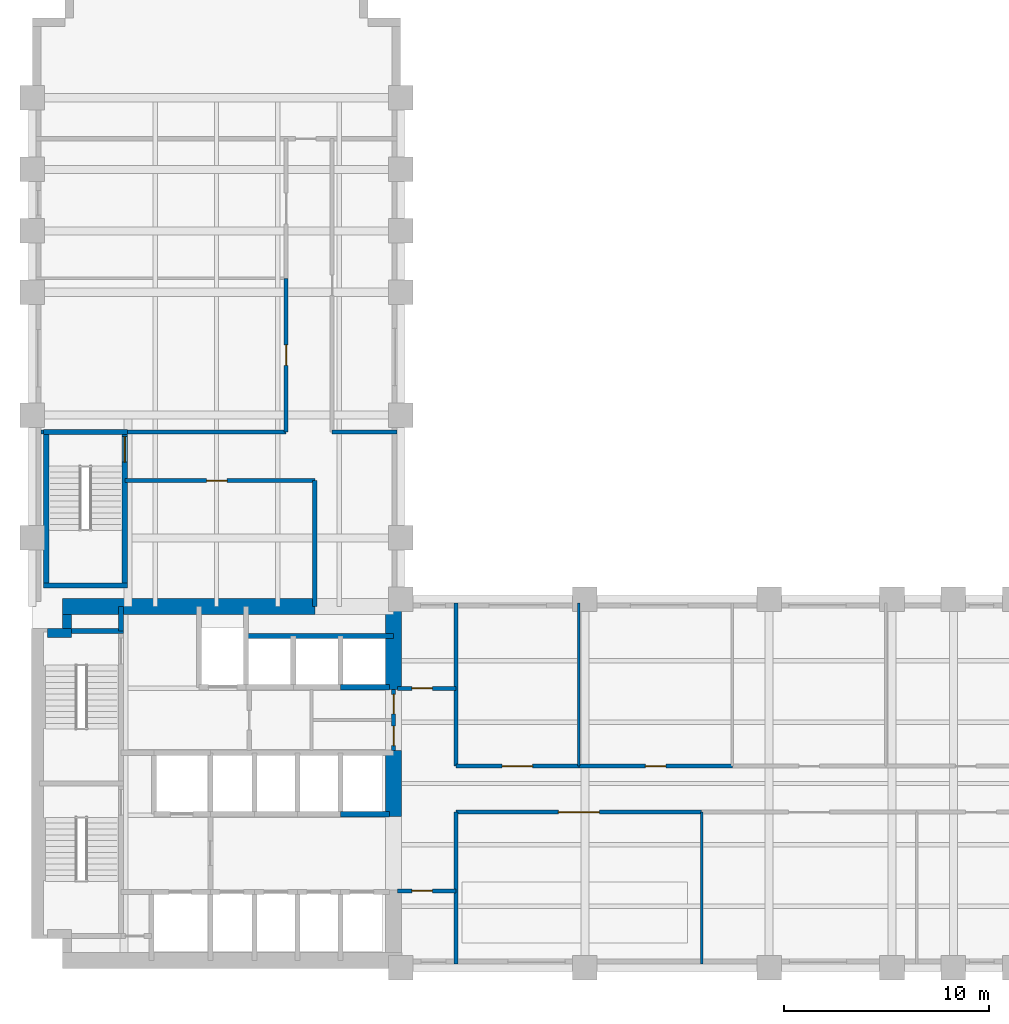
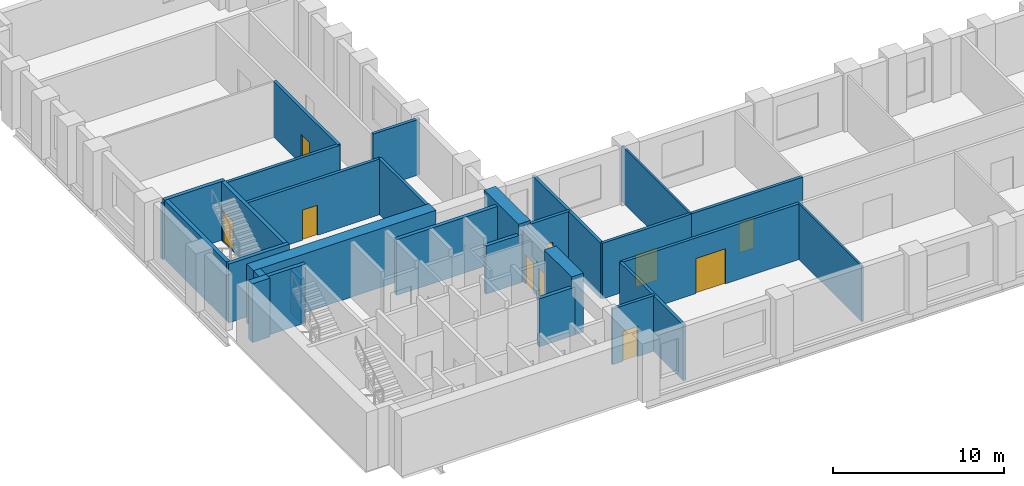
# One storey, part 4 of 7: 30 walls, 10 doors, 10 openings.
"""IFC4 building model written with IfcOpenShell, lengths in metres."""

from ifc_helpers import new_model, si_unit, direction, frame, frame_2d, origin, place, context, subcontext, project, spatial, rectangle, extrude, material, layer, layer_set, type_object, element, fill, save


model = new_model("IFC4")

# Units and contexts
model_context = context("Model", 3, precision=1e-05, world=origin(), true_north=direction((0.0, 1.0)))
body_context = subcontext(model_context, "Body", "Model", "MODEL_VIEW")
ifc_project = project(units=[si_unit("LENGTHUNIT", "METRE"), si_unit("AREAUNIT", "SQUARE_METRE"), si_unit("VOLUMEUNIT", "CUBIC_METRE"), si_unit("PLANEANGLEUNIT", "RADIAN"), si_unit("MASSUNIT", "GRAM", prefix="KILO")], contexts=[model_context])

# Site, building, storey
site_placement = place(None, origin())
site = spatial("IfcSite", under=ifc_project, at=site_placement, CompositionType="ELEMENT")
building_placement = place(site_placement, origin())
building = spatial("IfcBuilding", under=site, at=building_placement, Name="Mawjdan Bourse Tower", CompositionType="ELEMENT")
storey_placement = place(building_placement, frame((0.0, 0.0, 59.39990234375)))
storey = spatial("IfcBuildingStorey", under=building, at=storey_placement, Name="L13", CompositionType="ELEMENT", Elevation=59.39990234375)

# Wall, openings, doors
ifc_material_1 = material(Name="Gypsum Fireboard Assembly")
ifc_layer_1 = layer(ifc_material_1, 0.199951171875)
ifc_layer_set_1 = layer_set([ifc_layer_1], Name="Gypsum Fireboard Assembly")
wall_type_1 = type_object("IfcWallType", Name="WL-CMP-200", PredefinedType="PARTITIONING", material=ifc_layer_set_1)
wall_1_placement = place(storey_placement, frame((23.64990234375, 13.60009765625, 0.0), z_axis=(0.0, 0.0, 1.0), x_axis=(0.0, 1.0, 0.0)))
wall_1 = element("IfcWall", 1, at=wall_1_placement, inside=storey, type_object=wall_type_1, Name="L13 Core Restroom East Enclosing Wall", PredefinedType="PARTITIONING", context=body_context, shape_type="SweptSolid", body=[
    extrude(rectangle(XDim=3.0, YDim=0.199951171875, at=frame_2d((1.5, 0.0))), origin(), (0.0, 0.0, 1.0), 3.97021484375),
])
opening_1_placement = place(wall_1_placement, frame((0.25, 0.0, 0.0)))
opening_1 = element("IfcOpeningElement", 2, at=opening_1_placement, cuts=wall_1, Name="Opening D-L13-15", PredefinedType="OPENING", context=body_context, shape_type="SweptSolid", body=[
    extrude(rectangle(XDim=0.949951171875, YDim=2.10009765625, at=frame_2d((0.47509765625, 1.050048828125))), frame((0.0, 0.10986328125, 0.0), z_axis=(0.0, -1.0, 0.0), x_axis=(1.0, 0.0, 0.0)), (0.0, 0.0, 1.0), 0.219970703125),
])
opening_2_placement = place(wall_1_placement, frame((1.800048828125, 0.0, 0.0)))
opening_2 = element("IfcOpeningElement", 3, at=opening_2_placement, cuts=wall_1, Name="Opening D-L13-16", PredefinedType="OPENING", context=body_context, shape_type="SweptSolid", body=[
    extrude(rectangle(XDim=0.949951171875, YDim=2.10009765625, at=frame_2d((0.47509765625, 1.050048828125))), frame((0.0, 0.10986328125, 0.0), z_axis=(0.0, -1.0, 0.0), x_axis=(1.0, 0.0, 0.0)), (0.0, 0.0, 1.0), 0.219970703125),
])
ifc_material_2 = material(Name="Moisture-Resistant Laminate Timber", Category="wood")
door_type_1 = type_object("IfcDoorType", Name="DR-WET-0950", OperationType="NOTDEFINED", PredefinedType="DOOR", material=ifc_material_2)
door_1_placement = place(opening_1_placement, origin())
door_1 = element("IfcDoor", 4, at=door_1_placement, inside=storey, type_object=door_type_1, Name="L13 Accessible WC East Entry Door D-L13-15", OperationType="SINGLE_SWING_LEFT", OverallHeight=2.10009765625, OverallWidth=0.949951171875, PredefinedType="DOOR", context=body_context, shape_type="SweptSolid", body=[
    extrude(rectangle(XDim=0.949951171875, YDim=2.10009765625, at=frame_2d((0.47509765625, 1.050048828125))), frame((0.0, 0.02490234375, 0.0), z_axis=(0.0, -1.0, 0.0), x_axis=(1.0, 0.0, 0.0)), (0.0, 0.0, 1.0), 0.050048828125),
])
fill(opening_1, door_1)
door_2_placement = place(opening_2_placement, origin())
door_2 = element("IfcDoor", 5, at=door_2_placement, inside=storey, type_object=door_type_1, Name="L13 Female Restroom East Entry Door D-L13-16", OperationType="SINGLE_SWING_RIGHT", OverallHeight=2.10009765625, OverallWidth=0.949951171875, PredefinedType="DOOR", context=body_context, shape_type="SweptSolid", body=[
    extrude(rectangle(XDim=0.949951171875, YDim=2.10009765625, at=frame_2d((0.47509765625, 1.050048828125))), frame((0.0, 0.02490234375, 0.0), z_axis=(0.0, -1.0, 0.0), x_axis=(1.0, 0.0, 0.0)), (0.0, 0.0, 1.0), 0.050048828125),
])
fill(opening_2, door_2)

# Wall, opening, door
wall_2_placement = place(storey_placement, frame((23.85009765625, 6.75, 0.0), z_axis=(0.0, 0.0, 1.0), x_axis=(1.0, 0.0, 0.0)))
wall_2 = element("IfcWall", 6, at=wall_2_placement, inside=storey, type_object=wall_type_1, Name="L13 West Pocket North Wall", PredefinedType="PARTITIONING", context=body_context, shape_type="SweptSolid", body=[
    extrude(rectangle(XDim=2.849853515625, YDim=0.199951171875, at=frame_2d((1.4248046875, 0.0))), origin(), (0.0, 0.0, 1.0), 3.97021484375),
])
opening_3_placement = place(wall_2_placement, frame((0.699951171875, 0.0, 0.0)))
opening_3 = element("IfcOpeningElement", 7, at=opening_3_placement, cuts=wall_2, Name="Opening D-L13-18", PredefinedType="OPENING", context=body_context, shape_type="SweptSolid", body=[
    extrude(rectangle(XDim=1.0, YDim=2.14990234375, at=frame_2d((0.5, 1.074951171875))), frame((0.0, 0.10986328125, 0.0), z_axis=(0.0, -1.0, 0.0), x_axis=(1.0, 0.0, 0.0)), (0.0, 0.0, 1.0), 0.219970703125),
])
ifc_material_3 = material(Name="Hardwood Acoustic Leaf", Category="wood")
door_type_2 = type_object("IfcDoorType", Name="DR-OFC-1000", OperationType="NOTDEFINED", PredefinedType="DOOR", material=ifc_material_3)
door_3_placement = place(opening_3_placement, origin())
door_3 = element("IfcDoor", 8, at=door_3_placement, inside=storey, type_object=door_type_2, Name="L13 West Pocket Office Door D-L13-18", OperationType="SINGLE_SWING_RIGHT", OverallHeight=2.14990234375, OverallWidth=1.0, PredefinedType="DOOR", context=body_context, shape_type="SweptSolid", body=[
    extrude(rectangle(XDim=1.0, YDim=2.14990234375, at=frame_2d((0.5, 1.074951171875))), frame((0.0, 0.02490234375, 0.0), z_axis=(0.0, -1.0, 0.0), x_axis=(1.0, 0.0, 0.0)), (0.0, 0.0, 1.0), 0.050048828125),
])
fill(opening_3, door_3)

wall_3_placement = place(storey_placement, frame((23.85009765625, 16.64990234375, 0.0), z_axis=(0.0, 0.0, 1.0), x_axis=(1.0, 0.0, 0.0)))
wall_3 = element("IfcWall", 9, at=wall_3_placement, inside=storey, type_object=wall_type_1, Name="L13 West North Pocket Wall", PredefinedType="PARTITIONING", context=body_context, shape_type="SweptSolid", body=[
    extrude(rectangle(XDim=2.849853515625, YDim=0.199951171875, at=frame_2d((1.4248046875, 0.0))), origin(), (0.0, 0.0, 1.0), 3.97021484375),
])
opening_4_placement = place(wall_3_placement, frame((0.699951171875, 0.0, 0.0)))
opening_4 = element("IfcOpeningElement", 10, at=opening_4_placement, cuts=wall_3, Name="Opening D-L13-19", PredefinedType="OPENING", context=body_context, shape_type="SweptSolid", body=[
    extrude(rectangle(XDim=1.0, YDim=2.14990234375, at=frame_2d((0.5, 1.074951171875))), frame((0.0, 0.10986328125, 0.0), z_axis=(0.0, -1.0, 0.0), x_axis=(1.0, 0.0, 0.0)), (0.0, 0.0, 1.0), 0.219970703125),
])
door_4_placement = place(opening_4_placement, origin())
door_4 = element("IfcDoor", 11, at=door_4_placement, inside=storey, type_object=door_type_2, Name="L13 West North Pocket Door D-L13-19", OperationType="SINGLE_SWING_LEFT", OverallHeight=2.14990234375, OverallWidth=1.0, PredefinedType="DOOR", context=body_context, shape_type="SweptSolid", body=[
    extrude(rectangle(XDim=1.0, YDim=2.14990234375, at=frame_2d((0.5, 1.074951171875))), frame((0.0, 0.02490234375, 0.0), z_axis=(0.0, -1.0, 0.0), x_axis=(1.0, 0.0, 0.0)), (0.0, 0.0, 1.0), 0.050048828125),
])
fill(opening_4, door_4)

# Walls
wall_4_placement = place(storey_placement, frame((26.699951171875, 3.179931640625, 0.0), z_axis=(0.0, 0.0, 1.0), x_axis=(0.0, 1.0, 0.0)))
element("IfcWall", 12, at=wall_4_placement, inside=storey, type_object=wall_type_1, Name="L13 Vestibule South East Wall", PredefinedType="PARTITIONING", context=body_context, shape_type="SweptSolid", body=[
    extrude(rectangle(XDim=7.420166015625, YDim=0.199951171875, at=frame_2d((3.7099609375, 0.0))), origin(), (0.0, 0.0, 1.0), 3.97021484375),
])
wall_5_placement = place(storey_placement, frame((26.699951171875, 12.85009765625, 0.0), z_axis=(0.0, 0.0, 1.0), x_axis=(0.0, 1.0, 0.0)))
element("IfcWall", 13, at=wall_5_placement, inside=storey, type_object=wall_type_1, Name="L13 Vestibule North East Wall", PredefinedType="PARTITIONING", context=body_context, shape_type="SweptSolid", body=[
    extrude(rectangle(XDim=7.969970703125, YDim=0.199951171875, at=frame_2d((3.98486328125, 0.0))), origin(), (0.0, 0.0, 1.0), 3.97021484375),
])

# Wall, opening, door
wall_6_placement = place(storey_placement, frame((26.699951171875, 10.60009765625, 0.0), z_axis=(0.0, 0.0, 1.0), x_axis=(1.0, 0.0, 0.0)))
wall_6 = element("IfcWall", 14, at=wall_6_placement, inside=storey, type_object=wall_type_1, Name="L13 Trading Floor Corridor Wall", PredefinedType="PARTITIONING", context=body_context, shape_type="SweptSolid", body=[
    extrude(rectangle(XDim=12.0, YDim=0.199951171875, at=frame_2d((6.0, 0.0))), origin(), (0.0, 0.0, 1.0), 3.97021484375),
])
opening_5_placement = place(wall_6_placement, frame((5.0, 0.0, 0.0)))
opening_5 = element("IfcOpeningElement", 15, at=opening_5_placement, cuts=wall_6, Name="Opening D-L13-20", PredefinedType="OPENING", context=body_context, shape_type="SweptSolid", body=[
    extrude(rectangle(XDim=2.0, YDim=2.5, at=frame_2d((1.0, 1.25))), frame((0.0, 0.10986328125, 0.0), z_axis=(0.0, -1.0, 0.0), x_axis=(1.0, 0.0, 0.0)), (0.0, 0.0, 1.0), 0.219970703125),
])
ifc_material_4 = material(Name="Acoustic Veneered Timber", Category="wood")
door_type_3 = type_object("IfcDoorType", Name="DR-ASM-2000", OperationType="DOUBLE_DOOR_SINGLE_SWING", PredefinedType="DOOR", material=ifc_material_4)
door_5_placement = place(opening_5_placement, origin())
door_5 = element("IfcDoor", 16, at=door_5_placement, inside=storey, type_object=door_type_3, Name="L13 Trading Floor Door D-L13-20", OperationType="DOUBLE_DOOR_SINGLE_SWING", OverallHeight=2.5, OverallWidth=2.0, PredefinedType="DOOR", context=body_context, shape_type="SweptSolid", body=[
    extrude(rectangle(XDim=2.0, YDim=2.5, at=frame_2d((1.0, 1.25))), frame((0.0, 0.02490234375, 0.0), z_axis=(0.0, -1.0, 0.0), x_axis=(1.0, 0.0, 0.0)), (0.0, 0.0, 1.0), 0.050048828125),
])
fill(opening_5, door_5)

wall_7_placement = place(storey_placement, frame((26.699951171875, 12.85009765625, 0.0), z_axis=(0.0, 0.0, 1.0), x_axis=(1.0, 0.0, 0.0)))
wall_7 = element("IfcWall", 17, at=wall_7_placement, inside=storey, type_object=wall_type_1, Name="L13 Conference Room Corridor Wall", PredefinedType="PARTITIONING", context=body_context, shape_type="SweptSolid", body=[
    extrude(rectangle(XDim=6.0, YDim=0.199951171875, at=frame_2d((3.0, 0.0))), origin(), (0.0, 0.0, 1.0), 3.97021484375),
])
opening_6_placement = place(wall_7_placement, frame((2.25, 0.0, 0.0)))
opening_6 = element("IfcOpeningElement", 18, at=opening_6_placement, cuts=wall_7, Name="Opening D-L13-23", PredefinedType="OPENING", context=body_context, shape_type="SweptSolid", body=[
    extrude(rectangle(XDim=1.5, YDim=2.300048828125, at=frame_2d((0.75, 1.14990234375))), frame((0.0, 0.10986328125, 0.0), z_axis=(0.0, -1.0, 0.0), x_axis=(1.0, 0.0, 0.0)), (0.0, 0.0, 1.0), 0.219970703125),
])
ifc_material_5 = material(Name="Acoustic Glazed Timber", Category="wood")
door_type_4 = type_object("IfcDoorType", Name="DR-CNF-1500", OperationType="DOUBLE_DOOR_SINGLE_SWING", PredefinedType="DOOR", material=ifc_material_5)
door_6_placement = place(opening_6_placement, origin())
door_6 = element("IfcDoor", 19, at=door_6_placement, inside=storey, type_object=door_type_4, Name="L13 Conference Room Door D-L13-23", OperationType="DOUBLE_DOOR_SINGLE_SWING", OverallHeight=2.300048828125, OverallWidth=1.5, PredefinedType="DOOR", context=body_context, shape_type="SweptSolid", body=[
    extrude(rectangle(XDim=1.5, YDim=2.300048828125, at=frame_2d((0.75, 1.14990234375))), frame((0.0, 0.02490234375, 0.0), z_axis=(0.0, -1.0, 0.0), x_axis=(1.0, 0.0, 0.0)), (0.0, 0.0, 1.0), 0.050048828125),
])
fill(opening_6, door_6)

wall_8_placement = place(storey_placement, frame((32.699951171875, 12.85009765625, 0.0), z_axis=(0.0, 0.0, 1.0), x_axis=(1.0, 0.0, 0.0)))
wall_8 = element("IfcWall", 20, at=wall_8_placement, inside=storey, type_object=wall_type_1, Name="L13 Client Meeting Room Corridor Wall", PredefinedType="PARTITIONING", context=body_context, shape_type="SweptSolid", body=[
    extrude(rectangle(XDim=7.5, YDim=0.199951171875, at=frame_2d((3.75, 0.0))), origin(), (0.0, 0.0, 1.0), 3.97021484375),
])
opening_7_placement = place(wall_8_placement, frame((3.25, 0.0, 0.0)))
opening_7 = element("IfcOpeningElement", 21, at=opening_7_placement, cuts=wall_8, Name="Opening D-L13-24", PredefinedType="OPENING", context=body_context, shape_type="SweptSolid", body=[
    extrude(rectangle(XDim=1.0, YDim=2.14990234375, at=frame_2d((0.5, 1.074951171875))), frame((0.0, 0.10986328125, 0.0), z_axis=(0.0, -1.0, 0.0), x_axis=(1.0, 0.0, 0.0)), (0.0, 0.0, 1.0), 0.219970703125),
])
door_7_placement = place(opening_7_placement, origin())
door_7 = element("IfcDoor", 22, at=door_7_placement, inside=storey, type_object=door_type_2, Name="L13 Client Meeting Room Door D-L13-24", OperationType="SINGLE_SWING_RIGHT", OverallHeight=2.14990234375, OverallWidth=1.0, PredefinedType="DOOR", context=body_context, shape_type="SweptSolid", body=[
    extrude(rectangle(XDim=1.0, YDim=2.14990234375, at=frame_2d((0.5, 1.074951171875))), frame((0.0, 0.02490234375, 0.0), z_axis=(0.0, -1.0, 0.0), x_axis=(1.0, 0.0, 0.0)), (0.0, 0.0, 1.0), 0.050048828125),
])
fill(opening_7, door_7)

wall_9_placement = place(storey_placement, frame((10.52001953125, 26.800048828125, 0.0), z_axis=(0.0, 0.0, 1.0), x_axis=(1.0, 0.0, 0.0)))
wall_9 = element("IfcWall", 23, at=wall_9_placement, inside=storey, type_object=wall_type_1, Name="L13 North Throat North Wall", PredefinedType="PARTITIONING", context=body_context, shape_type="SweptSolid", body=[
    extrude(rectangle(XDim=9.280029296875, YDim=0.199951171875, at=frame_2d((4.64013671875, 0.0))), origin(), (0.0, 0.0, 1.0), 3.97021484375),
])
opening_8_placement = place(wall_9_placement, frame((4.0, 0.0, 0.0)))
opening_8 = element("IfcOpeningElement", 24, at=opening_8_placement, cuts=wall_9, Name="Opening D-L13-28", PredefinedType="OPENING", context=body_context, shape_type="SweptSolid", body=[
    extrude(rectangle(XDim=1.0, YDim=2.14990234375, at=frame_2d((0.5, 1.074951171875))), frame((0.0, 0.10986328125, 0.0), z_axis=(0.0, -1.0, 0.0), x_axis=(1.0, 0.0, 0.0)), (0.0, 0.0, 1.0), 0.219970703125),
])
door_8_placement = place(opening_8_placement, origin())
door_8 = element("IfcDoor", 25, at=door_8_placement, inside=storey, type_object=door_type_2, Name="L13 North Throat Suite Door D-L13-28", OperationType="SINGLE_SWING_RIGHT", OverallHeight=2.14990234375, OverallWidth=1.0, PredefinedType="DOOR", context=body_context, shape_type="SweptSolid", body=[
    extrude(rectangle(XDim=1.0, YDim=2.14990234375, at=frame_2d((0.5, 1.074951171875))), frame((0.0, 0.02490234375, 0.0), z_axis=(0.0, -1.0, 0.0), x_axis=(1.0, 0.0, 0.0)), (0.0, 0.0, 1.0), 0.050048828125),
])
fill(opening_8, door_8)

# Walls
wall_10_placement = place(storey_placement, frame((19.800048828125, 20.64990234375, 0.0), z_axis=(0.0, 0.0, 1.0), x_axis=(0.0, 1.0, 0.0)))
element("IfcWall", 26, at=wall_10_placement, inside=storey, type_object=wall_type_1, Name="L13 North Throat East Wall", PredefinedType="PARTITIONING", context=body_context, shape_type="SweptSolid", body=[
    extrude(rectangle(XDim=6.150146484375, YDim=0.199951171875, at=frame_2d((3.0751953125, 0.0))), origin(), (0.0, 0.0, 1.0), 3.97021484375),
])
wall_11_placement = place(storey_placement, frame((6.419921875, 29.179931640625, 0.0), z_axis=(0.0, 0.0, 1.0), x_axis=(1.0, 0.0, 0.0)))
element("IfcWall", 27, at=wall_11_placement, inside=storey, type_object=wall_type_1, Name="L13 North West Band ST3 West Return", PredefinedType="PARTITIONING", context=body_context, shape_type="SweptSolid", body=[
    extrude(rectangle(XDim=0.135009765625, YDim=0.199951171875, at=frame_2d((0.0673828125, 0.0))), origin(), (0.0, 0.0, 1.0), 3.97021484375),
])
wall_12_placement = place(storey_placement, frame((10.6298828125, 29.179931640625, 0.0), z_axis=(0.0, 0.0, 1.0), x_axis=(1.0, 0.0, 0.0)))
element("IfcWall", 28, at=wall_12_placement, inside=storey, type_object=wall_type_1, Name="L13 North West Band South Wall", PredefinedType="PARTITIONING", context=body_context, shape_type="SweptSolid", body=[
    extrude(rectangle(XDim=7.77001953125, YDim=0.199951171875, at=frame_2d((3.885009765625, 0.0))), origin(), (0.0, 0.0, 1.0), 3.97021484375),
])
wall_13_placement = place(storey_placement, frame((20.64990234375, 29.179931640625, 0.0), z_axis=(0.0, 0.0, 1.0), x_axis=(1.0, 0.0, 0.0)))
element("IfcWall", 29, at=wall_13_placement, inside=storey, type_object=wall_type_1, Name="L13 North East Band South Wall", PredefinedType="PARTITIONING", context=body_context, shape_type="SweptSolid", body=[
    extrude(rectangle(XDim=3.170166015625, YDim=0.199951171875, at=frame_2d((1.5849609375, 0.0))), origin(), (0.0, 0.0, 1.0), 3.97021484375),
])

# Wall, opening, door
wall_14_placement = place(storey_placement, frame((18.39990234375, 29.179931640625, 0.0), z_axis=(0.0, 0.0, 1.0), x_axis=(0.0, 1.0, 0.0)))
wall_14 = element("IfcWall", 30, at=wall_14_placement, inside=storey, type_object=wall_type_1, Name="L13 Commodities Dealing Hall Corridor Wall", PredefinedType="PARTITIONING", context=body_context, shape_type="SweptSolid", body=[
    extrude(rectangle(XDim=7.5, YDim=0.199951171875, at=frame_2d((3.75, 0.0))), origin(), (0.0, 0.0, 1.0), 3.97021484375),
])
opening_9_placement = place(wall_14_placement, frame((3.25, 0.0, 0.0)))
opening_9 = element("IfcOpeningElement", 31, at=opening_9_placement, cuts=wall_14, Name="Opening D-L13-29", PredefinedType="OPENING", context=body_context, shape_type="SweptSolid", body=[
    extrude(rectangle(XDim=1.0, YDim=2.14990234375, at=frame_2d((0.5, 1.074951171875))), frame((0.0, 0.10986328125, 0.0), z_axis=(0.0, -1.0, 0.0), x_axis=(1.0, 0.0, 0.0)), (0.0, 0.0, 1.0), 0.219970703125),
])
door_9_placement = place(opening_9_placement, origin())
door_9 = element("IfcDoor", 32, at=door_9_placement, inside=storey, type_object=door_type_2, Name="L13 Commodities Dealing Hall Door D-L13-29", OperationType="SINGLE_SWING_LEFT", OverallHeight=2.14990234375, OverallWidth=1.0, PredefinedType="DOOR", context=body_context, shape_type="SweptSolid", body=[
    extrude(rectangle(XDim=1.0, YDim=2.14990234375, at=frame_2d((0.5, 1.074951171875))), frame((0.0, 0.02490234375, 0.0), z_axis=(0.0, -1.0, 0.0), x_axis=(1.0, 0.0, 0.0)), (0.0, 0.0, 1.0), 0.050048828125),
])
fill(opening_9, door_9)

# Walls
ifc_material_6 = material(Name="Concrete C60/75", Category="concrete")
ifc_layer_2 = layer(ifc_material_6, 0.449951171875)
ifc_layer_set_2 = layer_set([ifc_layer_2], Name="Concrete C60/75")
wall_type_2 = type_object("IfcWallType", Name="WL-CORE-450", PredefinedType="SHEAR", material=ifc_layer_set_2)
wall_15_placement = place(storey_placement, frame((6.75, 19.35009765625, 0.0), z_axis=(0.0, 0.0, 1.0), x_axis=(1.0, 0.0, 0.0)))
element("IfcWall", 33, at=wall_15_placement, inside=storey, type_object=wall_type_2, Name="L13 Rear Core Shear Wall NW-X", PredefinedType="SHEAR", context=body_context, shape_type="SweptSolid", body=[
    extrude(rectangle(XDim=1.175048828125, YDim=0.449951171875, at=frame_2d((0.58740234375, 0.0))), origin(), (0.0, 0.0, 1.0), 4.2001953125),
])
wall_16_placement = place(storey_placement, frame((7.699951171875, 19.574951171875, 0.0), z_axis=(0.0, 0.0, 1.0), x_axis=(0.0, 1.0, 0.0)))
element("IfcWall", 34, at=wall_16_placement, inside=storey, type_object=wall_type_2, Name="L13 Rear Core Shear Wall NW-Y", PredefinedType="SHEAR", context=body_context, shape_type="SweptSolid", body=[
    extrude(rectangle(XDim=0.675048828125, YDim=0.449951171875, at=frame_2d((0.33740234375, 0.0))), origin(), (0.0, 0.0, 1.0), 4.2001953125),
])
ifc_material_7 = material(Name="Concrete C80/95", Category="concrete")
ifc_layer_3 = layer(ifc_material_7, 0.800048828125)
ifc_layer_set_3 = layer_set([ifc_layer_3], Name="Concrete C80/95")
wall_type_3 = type_object("IfcWallType", Name="WL-CORE-800", PredefinedType="SHEAR", material=ifc_layer_set_3)
wall_17_placement = place(storey_placement, frame((7.47509765625, 20.64990234375, 0.0), z_axis=(0.0, 0.0, 1.0), x_axis=(1.0, 0.0, 0.0)))
element("IfcWall", 35, at=wall_17_placement, inside=storey, type_object=wall_type_3, Name="L13 Rear Core Shear Wall N", PredefinedType="SHEAR", context=body_context, shape_type="SweptSolid", body=[
    extrude(rectangle(XDim=12.324951171875, YDim=0.800048828125, at=frame_2d((6.16259765625, 0.0))), origin(), (0.0, 0.0, 1.0), 4.2001953125),
])
wall_18_placement = place(storey_placement, frame((23.64990234375, 10.39990234375, 0.0), z_axis=(0.0, 0.0, 1.0), x_axis=(0.0, 1.0, 0.0)))
element("IfcWall", 36, at=wall_18_placement, inside=storey, type_object=wall_type_3, Name="L13 Rear Core Shear Wall E2", PredefinedType="SHEAR", context=body_context, shape_type="SweptSolid", body=[
    extrude(rectangle(XDim=3.2001953125, YDim=0.800048828125, at=frame_2d((1.60009765625, 0.0))), origin(), (0.0, 0.0, 1.0), 4.2001953125),
])
wall_19_placement = place(storey_placement, frame((23.64990234375, 16.60009765625, 0.0), z_axis=(0.0, 0.0, 1.0), x_axis=(0.0, 1.0, 0.0)))
element("IfcWall", 37, at=wall_19_placement, inside=storey, type_object=wall_type_3, Name="L13 Rear Core Shear Wall E3", PredefinedType="SHEAR", context=body_context, shape_type="SweptSolid", body=[
    extrude(rectangle(XDim=4.0498046875, YDim=0.800048828125, at=frame_2d((2.02490234375, 0.0))), origin(), (0.0, 0.0, 1.0), 4.2001953125),
])
ifc_material_8 = material(Name="Gypsum Partition")
ifc_layer_4 = layer(ifc_material_8, 0.125)
ifc_layer_set_4 = layer_set([ifc_layer_4], Name="Gypsum Partition")
wall_type_4 = type_object("IfcWallType", Name="WL-PRT-125", PredefinedType="PARTITIONING", material=ifc_layer_set_4)
wall_20_placement = place(storey_placement, frame((38.699951171875, 3.179931640625, 0.0), z_axis=(0.0, 0.0, 1.0), x_axis=(0.0, 1.0, 0.0)))
element("IfcWall", 38, at=wall_20_placement, inside=storey, type_object=wall_type_4, Name="L13 Commodities Dealing Hall Partition", PredefinedType="PARTITIONING", context=body_context, shape_type="SweptSolid", body=[
    extrude(rectangle(XDim=7.420166015625, YDim=0.125, at=frame_2d((3.7099609375, 0.0))), origin(), (0.0, 0.0, 1.0), 3.97021484375),
])
wall_21_placement = place(storey_placement, frame((32.699951171875, 12.85009765625, 0.0), z_axis=(0.0, 0.0, 1.0), x_axis=(0.0, 1.0, 0.0)))
element("IfcWall", 39, at=wall_21_placement, inside=storey, type_object=wall_type_4, Name="L13 Client Meeting Room Partition", PredefinedType="PARTITIONING", context=body_context, shape_type="SweptSolid", body=[
    extrude(rectangle(XDim=7.969970703125, YDim=0.125, at=frame_2d((3.98486328125, 0.0))), origin(), (0.0, 0.0, 1.0), 3.97021484375),
])
ifc_material_9 = material(Name="Concrete C50/60", Category="concrete")
ifc_layer_5 = layer(ifc_material_9, 0.25)
ifc_layer_set_5 = layer_set([ifc_layer_5], Name="Concrete C50/60")
wall_type_5 = type_object("IfcWallType", Name="WL-SHFT-250", PredefinedType="PARTITIONING", material=ifc_layer_set_5)
wall_22_placement = place(storey_placement, frame((10.330078125, 19.449951171875, 0.0), z_axis=(0.0, 0.0, 1.0), x_axis=(0.0, 1.0, 0.0)))
element("IfcWall", 40, at=wall_22_placement, inside=storey, type_object=wall_type_5, Name="L13 NW Riser East Wall", PredefinedType="PARTITIONING", context=body_context, shape_type="SweptSolid", body=[
    extrude(rectangle(XDim=1.199951171875, YDim=0.25, at=frame_2d((0.60009765625, 0.0))), origin(), (0.0, 0.0, 1.0), 3.114013671875),
])
wall_23_placement = place(storey_placement, frame((21.050048828125, 16.699951171875, 0.0), z_axis=(0.0, 0.0, 1.0), x_axis=(1.0, 0.0, 0.0)))
element("IfcWall", 41, at=wall_23_placement, inside=storey, type_object=wall_type_5, Name="L13 PH-03 Front Wall", PredefinedType="PARTITIONING", context=body_context, shape_type="SweptSolid", body=[
    extrude(rectangle(XDim=2.39990234375, YDim=0.25, at=frame_2d((1.199951171875, 0.0))), origin(), (0.0, 0.0, 1.0), 3.426025390625),
])
wall_24_placement = place(storey_placement, frame((16.449951171875, 19.199951171875, 0.0), z_axis=(0.0, 0.0, 1.0), x_axis=(1.0, 0.0, 0.0)))
element("IfcWall", 42, at=wall_24_placement, inside=storey, type_object=wall_type_5, Name="L13 PH Bank North Shaft Back Wall", PredefinedType="PARTITIONING", context=body_context, shape_type="SweptSolid", body=[
    extrude(rectangle(XDim=7.199951171875, YDim=0.25, at=frame_2d((3.60009765625, 0.0))), origin(), (0.0, 0.0, 1.0), 3.97021484375),
])
wall_25_placement = place(storey_placement, frame((21.050048828125, 10.5, 0.0), z_axis=(0.0, 0.0, 1.0), x_axis=(1.0, 0.0, 0.0)))
element("IfcWall", 43, at=wall_25_placement, inside=storey, type_object=wall_type_5, Name="L13 PM-04 Front Wall", PredefinedType="PARTITIONING", context=body_context, shape_type="SweptSolid", body=[
    extrude(rectangle(XDim=2.39990234375, YDim=0.25, at=frame_2d((1.199951171875, 0.0))), origin(), (0.0, 0.0, 1.0), 3.426025390625),
])
ifc_layer_6 = layer(ifc_material_9, 0.25)
ifc_layer_set_6 = layer_set([ifc_layer_6], Name="Concrete C50/60")
wall_type_6 = type_object("IfcWallType", Name="WL-STRW-250", PredefinedType="SHEAR", material=ifc_layer_set_6)
wall_26_placement = place(storey_placement, frame((7.699951171875, 19.449951171875, 0.0), z_axis=(0.0, 0.0, 1.0), x_axis=(1.0, 0.0, 0.0)))
element("IfcWall", 44, at=wall_26_placement, inside=storey, type_object=wall_type_6, Name="L13 Stairwell ST2 North Shaft Wall", PredefinedType="SHEAR", context=body_context, shape_type="SweptSolid", body=[
    extrude(rectangle(XDim=2.755126953125, YDim=0.25, at=frame_2d((1.37744140625, 0.0))), origin(), (0.0, 0.0, 1.0), 4.2001953125),
])
for number, where, z_axis, x_axis, name in (
    (45, (6.554931640625, 21.679931640625, 0.0), (0.0, 0.0, 1.0), (1.0, 0.0, 0.0), "L13 ST3 South Shaft Wall"),
    (46, (6.554931640625, 29.179931640625, 0.0), (0.0, 0.0, 1.0), (1.0, 0.0, 0.0), "L13 ST3 North Shaft Wall"),
):
    element("IfcWall", number, at=place(storey_placement, frame(where, z_axis=z_axis, x_axis=x_axis)), inside=storey, type_object=wall_type_6, Name=name, PredefinedType="SHEAR", context=body_context, shape_type="SweptSolid", body=[
        extrude(rectangle(XDim=4.090087890625, YDim=0.25, at=frame_2d((2.044921875, 0.0))), origin(), (0.0, 0.0, 1.0), 4.2001953125),
    ])
wall_27_placement = place(storey_placement, frame((6.679931640625, 21.679931640625, 0.0), z_axis=(0.0, 0.0, 1.0), x_axis=(0.0, 1.0, 0.0)))
element("IfcWall", 47, at=wall_27_placement, inside=storey, type_object=wall_type_6, Name="L13 ST3 West Shaft Wall", PredefinedType="SHEAR", context=body_context, shape_type="SweptSolid", body=[
    extrude(rectangle(XDim=7.5, YDim=0.25, at=frame_2d((3.75, 0.0))), origin(), (0.0, 0.0, 1.0), 4.2001953125),
])

# Wall, opening, door
wall_28_placement = place(storey_placement, frame((10.52001953125, 21.679931640625, 0.0), z_axis=(0.0, 0.0, 1.0), x_axis=(0.0, 1.0, 0.0)))
wall_28 = element("IfcWall", 48, at=wall_28_placement, inside=storey, type_object=wall_type_6, Name="L13 ST3 East Shaft Wall", PredefinedType="SHEAR", context=body_context, shape_type="SweptSolid", body=[
    extrude(rectangle(XDim=7.5, YDim=0.25, at=frame_2d((3.75, 0.0))), origin(), (0.0, 0.0, 1.0), 4.2001953125),
])
opening_10_placement = place(wall_28_placement, frame((6.02001953125, 0.0, 0.0)))
opening_10 = element("IfcOpeningElement", 49, at=opening_10_placement, cuts=wall_28, Name="Opening SD-L13-17", PredefinedType="OPENING", context=body_context, shape_type="SweptSolid", body=[
    extrude(rectangle(XDim=1.25, YDim=2.199951171875, at=frame_2d((0.625, 1.10009765625))), frame((0.0, 0.135009765625, 0.0), z_axis=(0.0, -1.0, 0.0), x_axis=(1.0, 0.0, 0.0)), (0.0, 0.0, 1.0), 0.27001953125),
])
ifc_material_10 = material(Name="Fire-Rated Steel Leaf", Category="steel")
door_type_5 = type_object("IfcDoorType", Name="FD-ST-1250", OperationType="NOTDEFINED", PredefinedType="DOOR", material=ifc_material_10)
door_10_placement = place(opening_10_placement, origin())
door_10 = element("IfcDoor", 50, at=door_10_placement, inside=storey, type_object=door_type_5, Name="L13 Stair ST3 Fire Door SD-L13-17", OperationType="SINGLE_SWING_LEFT", OverallHeight=2.199951171875, OverallWidth=1.25, PredefinedType="DOOR", context=body_context, shape_type="SweptSolid", body=[
    extrude(rectangle(XDim=1.25, YDim=2.199951171875, at=frame_2d((0.625, 1.10009765625))), frame((0.0, 0.02490234375, 0.0), z_axis=(0.0, -1.0, 0.0), x_axis=(1.0, 0.0, 0.0)), (0.0, 0.0, 1.0), 0.050048828125),
])
fill(opening_10, door_10)

save(model, "model.ifc")
